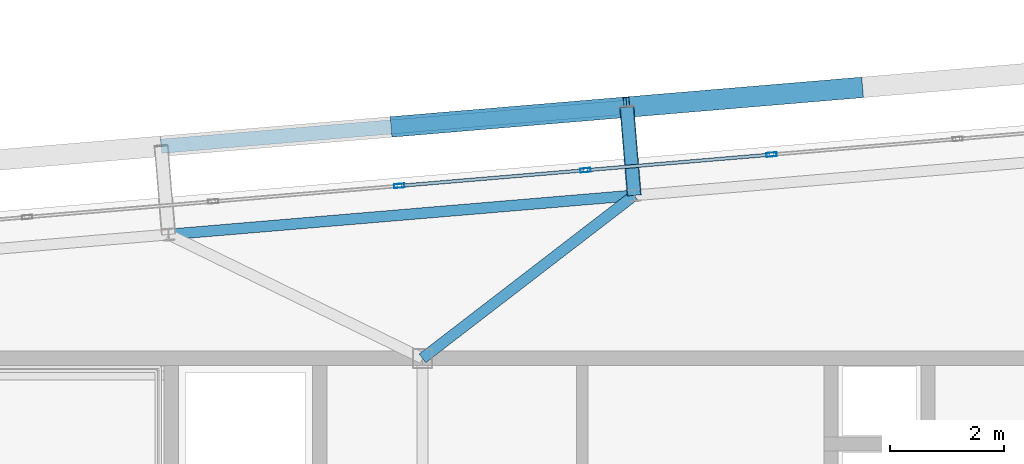
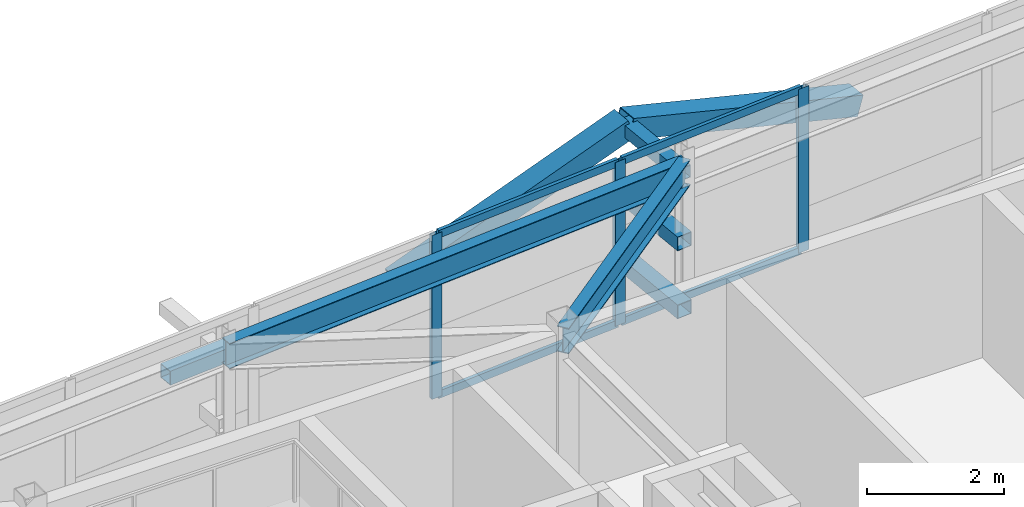
# One storey, part 28 of 46: 13 members, 2 beams, 1 element without a shape of its own.
"""IFC4 building model written with IfcOpenShell, lengths in metres."""

from ifc_helpers import new_model, si_unit, direction, frame, origin, origin_2d, place, context, subcontext, project, spatial, hollow_rectangle, i_section, extrude, source, transform, mapped, material, layer, layer_set, material_profile, profile_set, type_object, element, aggregate, save


model = new_model("IFC4")

# Units and contexts
model_context = context("Model", 3, precision=1e-05, world=origin(), true_north=direction((0.0, 1.0)))
body_context = subcontext(model_context, "Body", "Model", "MODEL_VIEW")
ifc_project = project(units=[si_unit("LENGTHUNIT", "METRE"), si_unit("AREAUNIT", "SQUARE_METRE"), si_unit("VOLUMEUNIT", "CUBIC_METRE"), si_unit("PLANEANGLEUNIT", "RADIAN"), si_unit("MASSUNIT", "GRAM", prefix="KILO")], contexts=[model_context])

# Site, building, storey
site_placement = place(None, origin())
site = spatial("IfcSite", under=ifc_project, at=site_placement, CompositionType="ELEMENT")
building_placement = place(site_placement, origin())
building = spatial("IfcBuilding", under=site, at=building_placement, Name="Taldren Reach Tower", CompositionType="ELEMENT")
storey_placement = place(building_placement, frame((0.0, 0.0, 194.60009765625)))
storey = spatial("IfcBuildingStorey", under=building, at=storey_placement, Name="L59", CompositionType="ELEMENT", Elevation=194.60009765625)

# Members
ifc_material_1 = material(Name="Steel Gr 350 (C350L0)", Category="steel")
ifc_material_profile_1 = material_profile(ifc_material_1, hollow_rectangle(XDim=0.25, YDim=0.25, WallThickness=0.010009765625, at=origin_2d()), Name="250x250x10.0SHS")
ifc_profile_set_1 = profile_set([ifc_material_profile_1], Name="Steel Gr 350 (C350L0)")
member_type_1 = type_object("IfcMemberType", Name="MB-POST250", PredefinedType="POST", material=ifc_profile_set_1)
shared_shape_1 = source(origin(), body_context, "Body", "SweptSolid", [
    extrude(hollow_rectangle(XDim=0.25, YDim=0.25, WallThickness=0.010009765625, at=origin_2d()), origin(), (0.0, 0.0, 1.0), 1.5498046875),
])
for number, where, z_axis, x_axis, name in (
    (1, (31.706298828125, 34.8525390625, 0.219970703125), (-0.083645141657, 0.996495604746, 0.0), (-0.996495604746, -0.083645141657, 0.0), "Exoskeleton base diaphragm tie strut B4-N3 L59"),
    (2, (31.706298828125, 34.8525390625, 1.434814453125), (-0.083645141657, 0.996495604746, 0.0), (-0.996495604746, -0.083645141657, 0.0), "Exoskeleton mid-tier diaphragm tie B4-N3 L59"),
):
    element("IfcMember", number, at=place(storey_placement, frame(where, z_axis=z_axis, x_axis=x_axis)), inside=storey, type_object=member_type_1, Name=name, PredefinedType="POST", context=body_context, shape_type="MappedRepresentation", body=[
        mapped(shared_shape_1, transform((0.0, 0.0, 0.0), scale=1.0)),
    ])

# Beams
ifc_material_2 = material(Name="Steel Gr 350 (350PLUS)", Category="steel")
ifc_material_profile_2 = material_profile(ifc_material_2, i_section(OverallWidth=0.18994140625, OverallDepth=0.4541015625, WebThickness=0.008544921875, FlangeThickness=0.0126953125, at=origin_2d()), Name="460UB67.1")
ifc_profile_set_2 = profile_set([ifc_material_profile_2], Name="Steel Gr 350 (350PLUS)")
beam_type_1 = type_object("IfcBeamType", Name="SP-UB460B", PredefinedType="SPANDREL", material=ifc_profile_set_2)
shared_shape_2 = source(origin(), body_context, "Body", "SweptSolid", [
    extrude(i_section(OverallWidth=0.18994140625, OverallDepth=0.4541015625, WebThickness=0.008544921875, FlangeThickness=0.0126953125, at=origin_2d()), origin(), (0.0, 0.0, 1.0), 8.179931640625),
])
beam_1_placement = place(storey_placement, frame((31.706298828125, 34.8525390625, 2.702880859375), z_axis=(-0.99649182565, -0.08369015123, 0.0), x_axis=(0.08369015123, -0.99649182565, 0.0)))
element("IfcBeam", 3, at=beam_1_placement, inside=storey, type_object=beam_type_1, Name="Perimeter spandrel B4 N3-N2 L59", PredefinedType="SPANDREL", context=body_context, shape_type="MappedRepresentation", body=[
    mapped(shared_shape_2, transform((0.0, 0.0, 0.0), scale=1.0)),
])
ifc_material_profile_3 = material_profile(ifc_material_2, i_section(OverallWidth=0.19091796875, OverallDepth=0.4599609375, WebThickness=0.010009765625, FlangeThickness=0.01611328125, at=origin_2d()), Name="460UB82.1")
ifc_profile_set_3 = profile_set([ifc_material_profile_3], Name="Steel Gr 350 (350PLUS)")
beam_type_2 = type_object("IfcBeamType", Name="BM-UB460A", PredefinedType="BEAM", material=ifc_profile_set_3)
shared_shape_3 = source(origin(), body_context, "Body", "SweptSolid", [
    extrude(i_section(OverallWidth=0.19091796875, OverallDepth=0.4599609375, WebThickness=0.010009765625, FlangeThickness=0.01611328125, at=origin_2d()), origin(), (0.0, 0.0, 1.0), 4.677001953125),
])
beam_2_placement = place(storey_placement, frame((28.0, 32.0, 2.699951171875), z_axis=(0.792464836093, 0.609917603907, 0.0), x_axis=(-0.609917603907, 0.792464836093, 0.0)))
element("IfcBeam", 4, at=beam_2_placement, inside=storey, type_object=beam_type_2, Name="Primary floor girder B4-N3 L59", PredefinedType="BEAM", context=body_context, shape_type="MappedRepresentation", body=[
    mapped(shared_shape_3, transform((0.0, 0.0, 0.0), scale=1.0)),
])

# Members
ifc_material_3 = material(Name="Steel Gr 450 (C450L0)", Category="steel")
ifc_material_profile_4 = material_profile(ifc_material_3, hollow_rectangle(XDim=0.219970703125, YDim=0.219970703125, WallThickness=0.00830078125, at=origin_2d()), Name="220x220x8.2SHS")
ifc_profile_set_4 = profile_set([ifc_material_profile_4], Name="Steel Gr 450 (C450L0)")
member_type_2 = type_object("IfcMemberType", Name="MB-TIE219", PredefinedType="STRUT", material=ifc_profile_set_4)
shared_shape_4 = source(origin(), body_context, "Body", "SweptSolid", [
    extrude(hollow_rectangle(XDim=0.219970703125, YDim=0.219970703125, WallThickness=0.00830078125, at=origin_2d()), origin(), (0.0, 0.0, 1.0), 1.5498046875),
])
member_1_placement = place(storey_placement, frame((31.706298828125, 34.8525390625, 2.64990234375), z_axis=(-0.083645141657, 0.996495604746, 0.0), x_axis=(-0.996495604746, -0.083645141657, 0.0)))
element("IfcMember", 5, at=member_1_placement, inside=storey, type_object=member_type_2, Name="Exoskeleton diaphragm tie strut B4-N3 L59", PredefinedType="STRUT", context=body_context, shape_type="MappedRepresentation", body=[
    mapped(shared_shape_4, transform((0.0, 0.0, 0.0), scale=1.0)),
])
shared_shape_5 = source(origin(), body_context, "Body", "SweptSolid", [
    extrude(hollow_rectangle(XDim=0.25, YDim=0.25, WallThickness=0.010009765625, at=origin_2d()), origin(), (0.0, 0.0, 1.0), 8.179931640625),
])
member_2_placement = place(storey_placement, frame((23.42529296875, 35.712646484375, 1.434814453125), z_axis=(0.996494523218, 0.083658025296, 0.0), x_axis=(-0.083658025296, 0.996494523218, 0.0)))
element("IfcMember", 6, at=member_2_placement, inside=storey, type_object=member_type_1, Name="Exoskeleton mid-height ring chord B4-N2 L59", PredefinedType="POST", context=body_context, shape_type="MappedRepresentation", body=[
    mapped(shared_shape_5, transform((0.0, 0.0, 0.0), scale=1.0)),
])
ifc_material_profile_5 = material_profile(ifc_material_3, hollow_rectangle(XDim=0.360107421875, YDim=0.360107421875, WallThickness=0.0126953125, at=origin_2d()), Name="360x360x12.7SHS")
ifc_profile_set_5 = profile_set([ifc_material_profile_5], Name="Steel Gr 450 (C450L0)")
member_type_3 = type_object("IfcMemberType", Name="MB-EXO356", PredefinedType="BRACE", material=ifc_profile_set_5)
shared_shape_6 = source(origin(), body_context, "Body", "SweptSolid", [
    extrude(hollow_rectangle(XDim=0.360107421875, YDim=0.360107421875, WallThickness=0.0126953125, at=origin_2d()), origin(), (0.0, 0.0, 1.0), 4.2666015625),
])
for number, where, z_axis, x_axis, name in (
    (7, (27.5009765625, 36.054931640625, 1.434814453125), (0.955233542365, 0.080165460216, 0.28478479336), (-0.083628388178, 0.996497010879, 0.0), "Exoskeleton Diagrid Brace B4-N2 L59"),
    (8, (35.65234375, 36.7392578125, 1.434814453125), (-0.955229159097, -0.080222312271, 0.284783486572), (0.083687662192, -0.996492034688, 0.0), "Exoskeleton Diagrid Brace B4-N3 L59"),
):
    element("IfcMember", number, at=place(storey_placement, frame(where, z_axis=z_axis, x_axis=x_axis)), inside=storey, type_object=member_type_3, Name=name, PredefinedType="BRACE", context=body_context, shape_type="MappedRepresentation", body=[
        mapped(shared_shape_6, transform((0.0, 0.0, 0.0), scale=1.0)),
    ])

# Curtain wall, members
ifc_material_4 = material(Name="Aluminium and Low-E Glass Unitised System", Category="aluminium")
ifc_layer = layer(ifc_material_4, 0.159912109375)
ifc_layer_set = layer_set([ifc_layer], Name="Aluminium and Low-E Glass Unitised System")
curtain_wall_type = type_object("IfcCurtainWallType", Name="CW-SYS-5", PredefinedType="NOTDEFINED", material=ifc_layer_set)
curtain_wall_placement = place(storey_placement, origin())
curtain_wall = element("IfcCurtainWall", 9, at=curtain_wall_placement, inside=storey, type_object=curtain_wall_type, Name="Unitised curtain wall CW-L59-N", PredefinedType="NOTDEFINED")
ifc_material_5 = material(Name="Anodised Aluminium 6063-T6", Category="aluminium")
ifc_material_profile_6 = material_profile(ifc_material_5, hollow_rectangle(XDim=0.070068359375, YDim=0.179931640625, WallThickness=0.00390625, at=origin_2d()), Name="ALU-180x70x4RHS")
ifc_profile_set_6 = profile_set([ifc_material_profile_6], Name="Anodised Aluminium 6063-T6")
member_type_4 = type_object("IfcMemberType", Name="CW-MUL-180", PredefinedType="MULLION", material=ifc_profile_set_6)
shared_shape_7 = source(origin(), body_context, "Body", "SweptSolid", [
    extrude(hollow_rectangle(XDim=0.070068359375, YDim=0.179931640625, WallThickness=0.00390625, at=origin_2d()), origin(), (0.0, 0.0, 1.0), 2.929931640625),
])
member_3_placement = place(storey_placement, frame((34.110595703125, 35.566162109375, 0.0), z_axis=(0.0, 0.0, 1.0), x_axis=(0.083677875247, -0.99649285657, 0.0)))
member_3 = element("IfcMember", 10, at=member_3_placement, type_object=member_type_4, Name="CW-5 mullion 8", PredefinedType="MULLION", context=body_context, shape_type="MappedRepresentation", body=[
    mapped(shared_shape_7, transform((0.0, 0.0, 0.0), scale=1.0)),
])
member_4_placement = place(storey_placement, frame((30.852783203125, 35.292724609375, 0.0), z_axis=(0.0, 0.0, 1.0), x_axis=(0.083677875247, -0.99649285657, 0.0)))
member_4 = element("IfcMember", 11, at=member_4_placement, type_object=member_type_4, Name="CW-5 mullion 9", PredefinedType="MULLION", context=body_context, shape_type="MappedRepresentation", body=[
    mapped(shared_shape_7, transform((0.0, 0.0, 0.0), scale=1.0)),
])
member_5_placement = place(storey_placement, frame((27.594970703125, 35.01904296875, 0.0), z_axis=(0.0, 0.0, 1.0), x_axis=(0.083677875247, -0.99649285657, 0.0)))
member_5 = element("IfcMember", 12, at=member_5_placement, type_object=member_type_4, Name="CW-5 mullion 10", PredefinedType="MULLION", context=body_context, shape_type="MappedRepresentation", body=[
    mapped(shared_shape_7, transform((0.0, 0.0, 0.0), scale=1.0)),
])
ifc_material_profile_7 = material_profile(ifc_material_5, hollow_rectangle(XDim=0.06005859375, YDim=0.135009765625, WallThickness=0.00341796875, at=origin_2d()), Name="ALU-135x60x3.5RHS")
ifc_profile_set_7 = profile_set([ifc_material_profile_7], Name="Anodised Aluminium 6063-T6")
member_type_5 = type_object("IfcMemberType", Name="CW-TRN-150", PredefinedType="USERDEFINED", material=ifc_profile_set_7)
shared_shape_8 = source(origin(), body_context, "Body", "SweptSolid", [
    extrude(hollow_rectangle(XDim=0.06005859375, YDim=0.135009765625, WallThickness=0.00341796875, at=origin_2d()), origin(), (0.0, 0.0, 1.0), 3.19921875),
])
member_6_placement = place(storey_placement, frame((34.07568359375, 35.563232421875, 0.02978515625), z_axis=(-0.996496109493, -0.083639128198, 0.0), x_axis=(0.083639128198, -0.996496109493, 0.0)))
member_6 = element("IfcMember", 13, at=member_6_placement, type_object=member_type_5, Name="CW-5 transom 8.1", ObjectType="TRANSOM", PredefinedType="USERDEFINED", context=body_context, shape_type="MappedRepresentation", body=[
    mapped(shared_shape_8, transform((0.0, 0.0, 0.0), scale=1.0)),
])
member_7_placement = place(storey_placement, frame((34.07568359375, 35.563232421875, 2.89990234375), z_axis=(-0.996496109493, -0.083639128198, 0.0), x_axis=(0.083639128198, -0.996496109493, 0.0)))
member_7 = element("IfcMember", 14, at=member_7_placement, type_object=member_type_5, Name="CW-5 transom 8.2", ObjectType="TRANSOM", PredefinedType="USERDEFINED", context=body_context, shape_type="MappedRepresentation", body=[
    mapped(shared_shape_8, transform((0.0, 0.0, 0.0), scale=1.0)),
])
member_8_placement = place(storey_placement, frame((30.81787109375, 35.289794921875, 0.02978515625), z_axis=(-0.996489746258, -0.083714906697, 0.0), x_axis=(0.083714906697, -0.996489746258, 0.0)))
member_8 = element("IfcMember", 15, at=member_8_placement, type_object=member_type_5, Name="CW-5 transom 9.1", ObjectType="TRANSOM", PredefinedType="USERDEFINED", context=body_context, shape_type="MappedRepresentation", body=[
    mapped(shared_shape_8, transform((0.0, 0.0, 0.0), scale=1.0)),
])
member_9_placement = place(storey_placement, frame((30.81787109375, 35.289794921875, 2.89990234375), z_axis=(-0.996489746258, -0.083714906697, 0.0), x_axis=(0.083714906697, -0.996489746258, 0.0)))
member_9 = element("IfcMember", 16, at=member_9_placement, type_object=member_type_5, Name="CW-5 transom 9.2", ObjectType="TRANSOM", PredefinedType="USERDEFINED", context=body_context, shape_type="MappedRepresentation", body=[
    mapped(shared_shape_8, transform((0.0, 0.0, 0.0), scale=1.0)),
])
aggregate(curtain_wall, [member_3, member_4, member_5, member_6, member_7, member_8, member_9])

save(model, "model.ifc")
